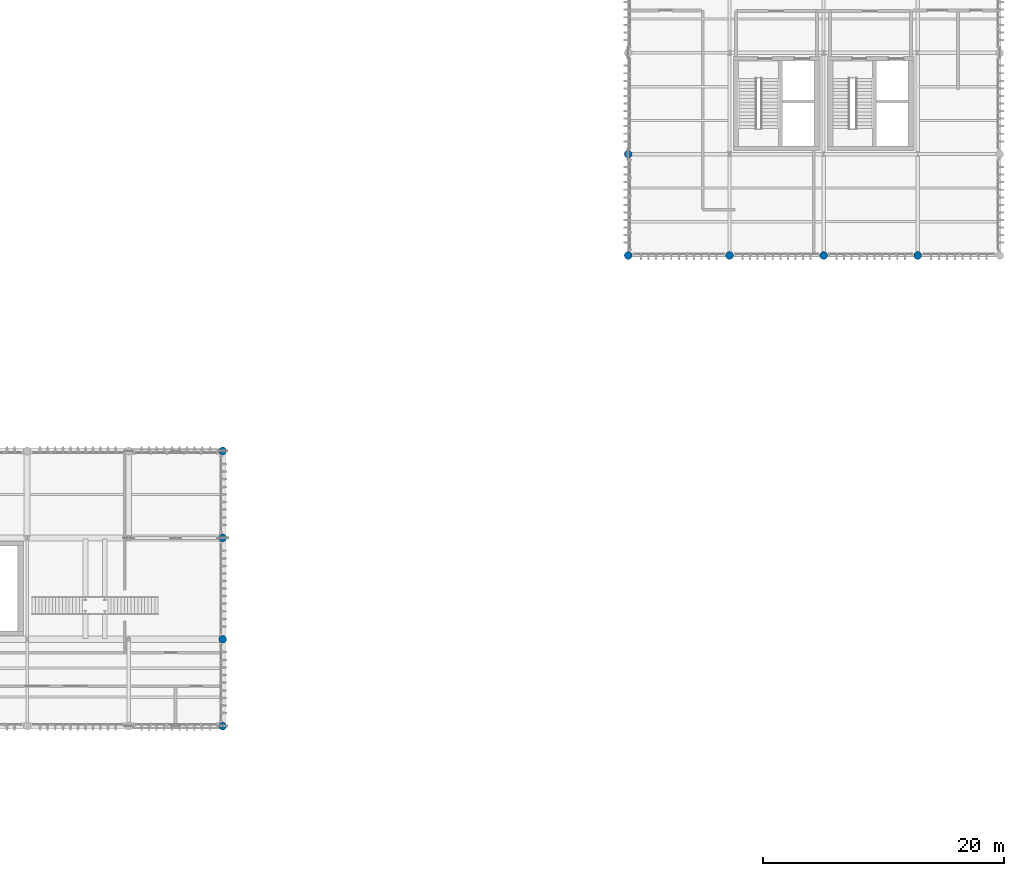
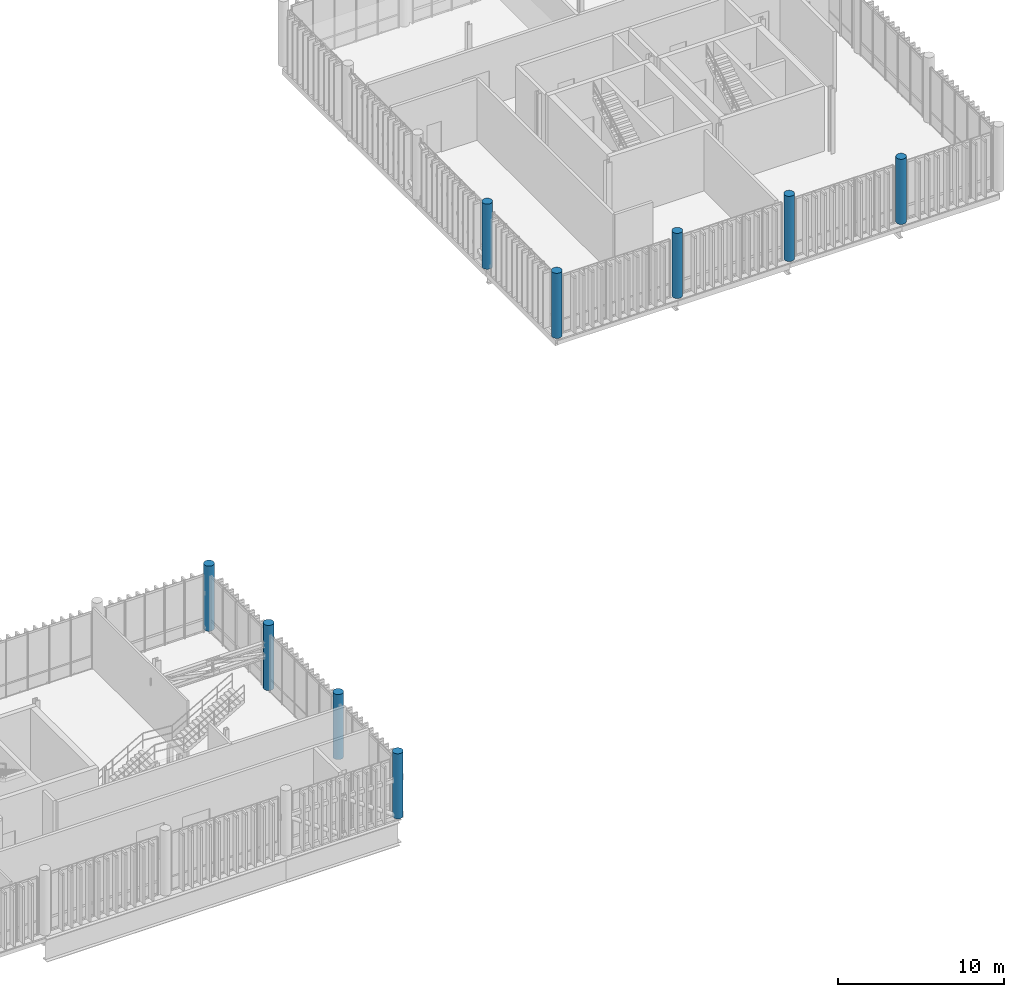
# One storey, part 4 of 86: 9 columns.
"""IFC4 building model written with IfcOpenShell, lengths in metres."""

from ifc_helpers import new_model, si_unit, direction, frame, origin_with_axes, origin_2d_with_axis, place, context, subcontext, project, spatial, circle, extrude, material, material_profile, profile_set, type_object, element, save


model = new_model("IFC4")

# Units and contexts
model_context = context("Model", 3, precision=1e-05, world=origin_with_axes(), true_north=direction((0.0, 1.0)))
body_context = subcontext(model_context, "Body", "Model", "MODEL_VIEW")
ifc_project = project(units=[si_unit("LENGTHUNIT", "METRE"), si_unit("AREAUNIT", "SQUARE_METRE"), si_unit("VOLUMEUNIT", "CUBIC_METRE"), si_unit("PLANEANGLEUNIT", "RADIAN"), si_unit("MASSUNIT", "GRAM", prefix="KILO"), si_unit("THERMODYNAMICTEMPERATUREUNIT", "KELVIN")], contexts=[model_context])

# Site, building, storey
site_placement = place(None, origin_with_axes())
site = spatial("IfcSite", under=ifc_project, at=site_placement, CompositionType="ELEMENT")
building_placement = place(site_placement, origin_with_axes())
building = spatial("IfcBuilding", under=site, at=building_placement, Name="Montbau Bow Law Courts", CompositionType="ELEMENT")
storey_placement = place(building_placement, frame((0.0, 0.0, 29.7), z_axis=(0.0, 0.0, 1.0), x_axis=(1.0, 0.0, 0.0)))
storey = spatial("IfcBuildingStorey", under=building, at=storey_placement, Name="L06", CompositionType="ELEMENT", Elevation=29.7)

# Columns
ifc_material = material(Name="Concrete CSA A23.1 f'c 40 MPa", Category="concrete")
ifc_material_profile = material_profile(ifc_material, circle(Radius=0.325, at=origin_2d_with_axis()), Name="RC650D", Category="Main", Priority=0)
ifc_profile_set = profile_set([ifc_material_profile], Name="Concrete CSA A23.1 f'c 40 MPa")
column_type = type_object("IfcColumnType", Name="C-RC-08", PredefinedType="COLUMN", material=ifc_profile_set)
for number, where, z_axis, x_axis, name in (
    (1, (105.0, 39.0, 29.7), (0.0, 0.0, 1.0), (1.0, 0.0, 0.0), "C-L06-S0968:col2_0968"),
    (2, (105.0, 46.2, 29.7), (0.0, 0.0, 1.0), (1.0, 0.0, 0.0), "C-L06-S0969:col2_0969"),
    (3, (105.0, 54.6, 29.7), (0.0, 0.0, 1.0), (1.0, 0.0, 0.0), "C-L06-S0970:col2_0970"),
    (4, (105.0, 61.8, 29.7), (0.0, 0.0, 1.0), (1.0, 0.0, 0.0), "C-L06-S0971:col2_0971"),
    (5, (138.6, 78.0, 29.7), (0.0, 0.0, 1.0), (1.0, 0.0, 0.0), "C-L06-S0972:col2_0972"),
    (6, (138.6, 86.4, 29.7), (0.0, 0.0, 1.0), (1.0, 0.0, 0.0), "C-L06-S0973:col2_0973"),
    (7, (147.0, 78.0, 29.7), (0.0, 0.0, 1.0), (1.0, 0.0, 0.0), "C-L06-S0977:col2_0977"),
    (8, (154.8, 78.0, 29.7), (0.0, 0.0, 1.0), (1.0, 0.0, 0.0), "C-L06-S0982:col2_0982"),
    (9, (162.6, 78.0, 29.7), (0.0, 0.0, 1.0), (1.0, 0.0, 0.0), "C-L06-S0987:col2_0987"),
):
    element("IfcColumn", number, at=place(None, frame(where, z_axis=z_axis, x_axis=x_axis)), inside=storey, type_object=column_type, Name=name, PredefinedType="COLUMN", context=body_context, shape_type="SweptSolid", body=[
        extrude(circle(Radius=0.325, at=origin_2d_with_axis()), origin_with_axes(), (0.0, 0.0, 1.0), 4.8),
    ])

save(model, "model.ifc")
